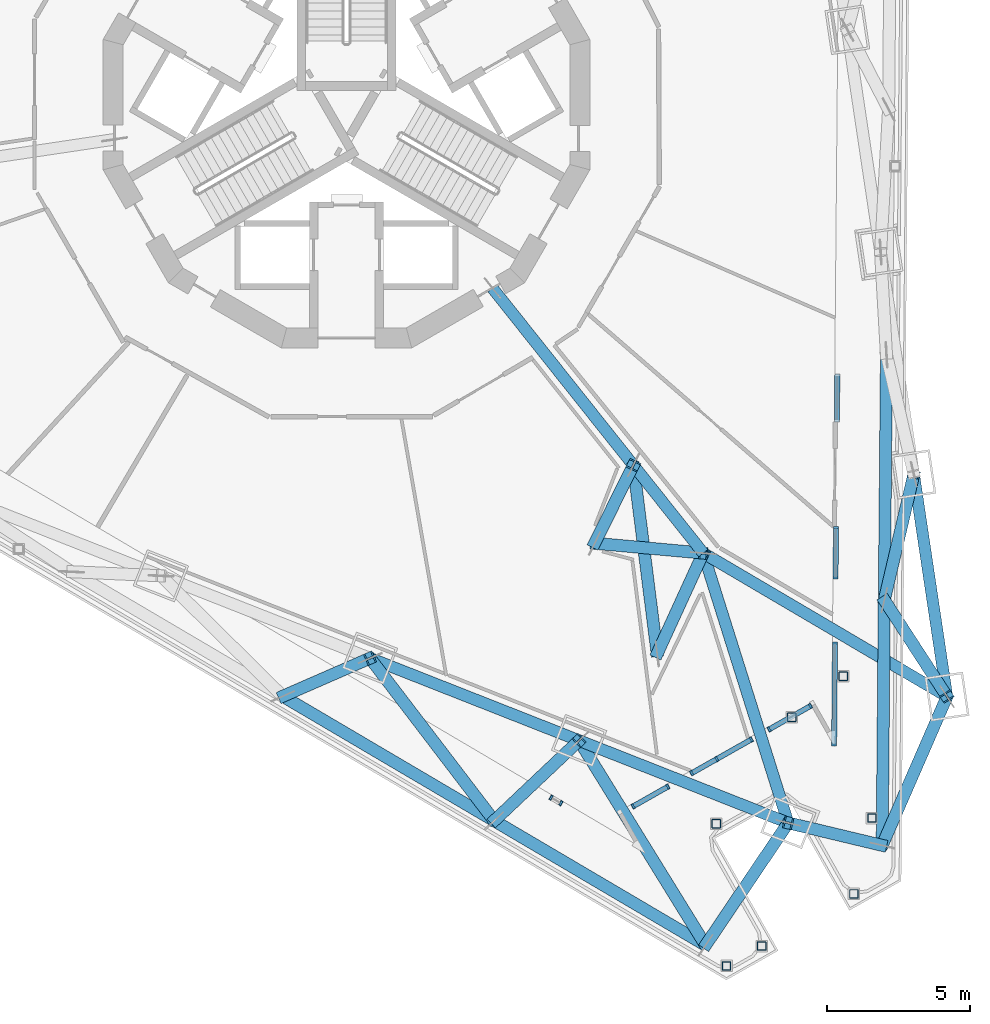
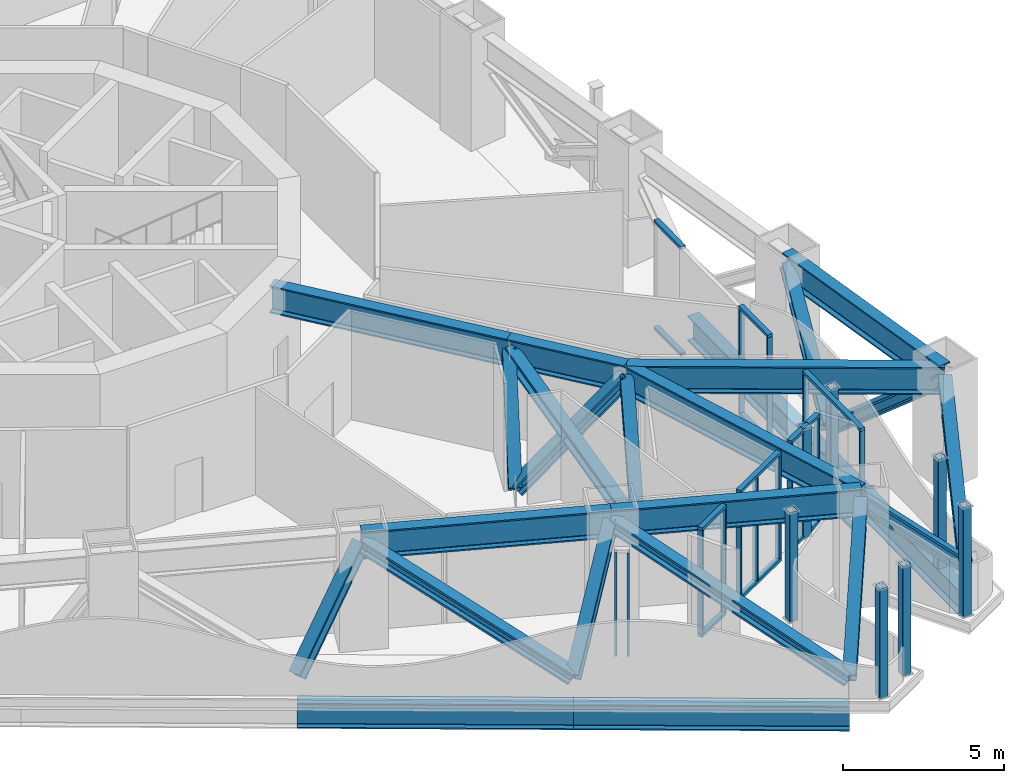
# One storey, part 3 of 27: 52 members, 4 beams, 7 elements without a shape of their own.
"""IFC4 building model written with IfcOpenShell, lengths in metres."""

from ifc_helpers import new_model, si_unit, direction, frame, origin, origin_2d, place, context, subcontext, project, spatial, rectangle, hollow_rectangle, i_section, extrude, material, layer, layer_set, material_profile, profile_set, type_object, element, aggregate, save


model = new_model("IFC4")

# Units and contexts
model_context = context("Model", 3, precision=1e-05, world=origin(), true_north=direction((0.0, 1.0)))
body_context = subcontext(model_context, "Body", "Model", "MODEL_VIEW")
ifc_project = project(units=[si_unit("LENGTHUNIT", "METRE"), si_unit("AREAUNIT", "SQUARE_METRE"), si_unit("VOLUMEUNIT", "CUBIC_METRE"), si_unit("PLANEANGLEUNIT", "RADIAN"), si_unit("MASSUNIT", "GRAM", prefix="KILO")], contexts=[model_context])

# Site, building, storey
site_placement = place(None, origin())
site = spatial("IfcSite", under=ifc_project, at=site_placement, CompositionType="ELEMENT")
building_placement = place(site_placement, origin())
building = spatial("IfcBuilding", under=site, at=building_placement, Name="Trine Commons Tower", CompositionType="ELEMENT")
storey_placement = place(building_placement, frame((0.0, 0.0, 193.5)))
storey = spatial("IfcBuildingStorey", under=building, at=storey_placement, Name="L50", CompositionType="ELEMENT", Elevation=193.5)

# Curtain wall, members
ifc_material_1 = material(Name="Sky lounge glazing: anodised aluminium frame with low-emissivity double glazed unit, solar control", Category="aluminium")
ifc_layer = layer(ifc_material_1, 0.179931640625)
ifc_layer_set = layer_set([ifc_layer], Name="Sky lounge glazing: anodised aluminium frame with low-emissivity double glazed unit, solar control")
curtain_wall_type = type_object("IfcCurtainWallType", Name="Sky lounge glazing curtain wall CW5", PredefinedType="NOTDEFINED", material=ifc_layer_set)
curtain_wall_1_placement = place(storey_placement, origin())
curtain_wall_1 = element("IfcCurtainWall", 1, at=curtain_wall_1_placement, inside=storey, type_object=curtain_wall_type, Name="Sky lounge glazing L50 F2.3", PredefinedType="NOTDEFINED")
ifc_material_2 = material(Name="Anodised aluminium, bronze finish", Category="aluminium")
ifc_material_profile_1 = material_profile(ifc_material_2, rectangle(XDim=0.179931640625, YDim=0.074951171875, at=origin_2d()), Name="Mullion 75x180")
ifc_profile_set_1 = profile_set([ifc_material_profile_1], Name="Anodised aluminium, bronze finish")
member_type_1 = type_object("IfcMemberType", Name="Mullion 75x180, Anodised aluminium, bronze finish", PredefinedType="MULLION", material=ifc_profile_set_1)
member_1_placement = place(storey_placement, frame((97.09912109375, 47.723876953125, 0.110107421875), z_axis=(0.0, 0.0, 1.0), x_axis=(0.999961923064, -0.008726535498, 0.0)))
member_1 = element("IfcMember", 2, at=member_1_placement, type_object=member_type_1, Name="CW5 mullion 1.1", PredefinedType="MULLION", context=body_context, shape_type="SweptSolid", body=[
    extrude(rectangle(XDim=0.179931640625, YDim=0.074951171875, at=origin_2d()), origin(), (0.0, 0.0, 1.0), 3.929931640625),
])
member_2_placement = place(storey_placement, frame((97.083740234375, 45.960205078125, 0.110107421875), z_axis=(0.0, 0.0, 1.0), x_axis=(0.999961923064, -0.008726535498, 0.0)))
member_2 = element("IfcMember", 3, at=member_2_placement, type_object=member_type_1, Name="CW5 mullion 2.1", PredefinedType="MULLION", context=body_context, shape_type="SweptSolid", body=[
    extrude(rectangle(XDim=0.179931640625, YDim=0.074951171875, at=origin_2d()), origin(), (0.0, 0.0, 1.0), 3.929931640625),
])

curtain_wall_2_placement = place(storey_placement, origin())
curtain_wall_2 = element("IfcCurtainWall", 4, at=curtain_wall_2_placement, inside=storey, type_object=curtain_wall_type, Name="Sky lounge glazing L50 F2.4", PredefinedType="NOTDEFINED")
member_3_placement = place(storey_placement, frame((97.064208984375, 43.6923828125, 0.110107421875), z_axis=(0.0, 0.0, 1.0), x_axis=(0.999961923064, -0.008726535498, 0.0)))
member_3 = element("IfcMember", 5, at=member_3_placement, type_object=member_type_1, Name="CW5 mullion 1.1", PredefinedType="MULLION", context=body_context, shape_type="SweptSolid", body=[
    extrude(rectangle(XDim=0.179931640625, YDim=0.074951171875, at=origin_2d()), origin(), (0.0, 0.0, 1.0), 3.929931640625),
])
member_4_placement = place(storey_placement, frame((97.032958984375, 40.131591796875, 0.110107421875), z_axis=(0.0, 0.0, 1.0), x_axis=(0.999961923064, -0.008726535498, 0.0)))
member_4 = element("IfcMember", 6, at=member_4_placement, type_object=member_type_1, Name="CW5 mullion 2.1", PredefinedType="MULLION", context=body_context, shape_type="SweptSolid", body=[
    extrude(rectangle(XDim=0.179931640625, YDim=0.074951171875, at=origin_2d()), origin(), (0.0, 0.0, 1.0), 3.929931640625),
])

curtain_wall_3_placement = place(storey_placement, origin())
curtain_wall_3 = element("IfcCurtainWall", 7, at=curtain_wall_3_placement, inside=storey, type_object=curtain_wall_type, Name="Sky lounge glazing L50 P3.1", PredefinedType="NOTDEFINED")
member_5_placement = place(storey_placement, frame((96.208251953125, 41.492919921875, 0.110107421875), z_axis=(0.0, 0.0, 1.0), x_axis=(0.492423560103, -0.87035569594, 0.0)))
member_5 = element("IfcMember", 8, at=member_5_placement, type_object=member_type_1, Name="CW5 mullion 1.1", PredefinedType="MULLION", context=body_context, shape_type="SweptSolid", body=[
    extrude(rectangle(XDim=0.179931640625, YDim=0.074951171875, at=origin_2d()), origin(), (0.0, 0.0, 1.0), 3.929931640625),
])
member_6_placement = place(storey_placement, frame((94.7646484375, 40.676025390625, 0.110107421875), z_axis=(0.0, 0.0, 1.0), x_axis=(0.492423560103, -0.87035569594, 0.0)))
member_6 = element("IfcMember", 9, at=member_6_placement, type_object=member_type_1, Name="CW5 mullion 2.1", PredefinedType="MULLION", context=body_context, shape_type="SweptSolid", body=[
    extrude(rectangle(XDim=0.179931640625, YDim=0.074951171875, at=origin_2d()), origin(), (0.0, 0.0, 1.0), 3.929931640625),
])

curtain_wall_4_placement = place(storey_placement, origin())
curtain_wall_4 = element("IfcCurtainWall", 10, at=curtain_wall_4_placement, inside=storey, type_object=curtain_wall_type, Name="Sky lounge glazing L50 P3.2", PredefinedType="NOTDEFINED")
member_7_placement = place(storey_placement, frame((94.142822265625, 40.32421875, 0.110107421875), z_axis=(0.0, 0.0, 1.0), x_axis=(0.492423560103, -0.87035569594, 0.0)))
member_7 = element("IfcMember", 11, at=member_7_placement, type_object=member_type_1, Name="CW5 mullion 1.1", PredefinedType="MULLION", context=body_context, shape_type="SweptSolid", body=[
    extrude(rectangle(XDim=0.179931640625, YDim=0.074951171875, at=origin_2d()), origin(), (0.0, 0.0, 1.0), 3.929931640625),
])
member_8_placement = place(storey_placement, frame((92.93359375, 39.64013671875, 0.110107421875), z_axis=(0.0, 0.0, 1.0), x_axis=(0.492423560103, -0.87035569594, 0.0)))
member_8 = element("IfcMember", 12, at=member_8_placement, type_object=member_type_1, Name="CW5 mullion 2.1", PredefinedType="MULLION", context=body_context, shape_type="SweptSolid", body=[
    extrude(rectangle(XDim=0.179931640625, YDim=0.074951171875, at=origin_2d()), origin(), (0.0, 0.0, 1.0), 3.929931640625),
])
member_9_placement = place(storey_placement, frame((92.056396484375, 39.143798828125, 0.110107421875), z_axis=(0.0, 0.0, 1.0), x_axis=(0.492423560103, -0.87035569594, 0.0)))
member_9 = element("IfcMember", 13, at=member_9_placement, type_object=member_type_1, Name="CW5 mullion 3.1", PredefinedType="MULLION", context=body_context, shape_type="SweptSolid", body=[
    extrude(rectangle(XDim=0.179931640625, YDim=0.074951171875, at=origin_2d()), origin(), (0.0, 0.0, 1.0), 3.929931640625),
])

curtain_wall_5_placement = place(storey_placement, origin())
curtain_wall_5 = element("IfcCurtainWall", 14, at=curtain_wall_5_placement, inside=storey, type_object=curtain_wall_type, Name="Sky lounge glazing L50 P3.3", PredefinedType="NOTDEFINED")
member_10_placement = place(storey_placement, frame((91.223388671875, 38.672607421875, 0.110107421875), z_axis=(0.0, 0.0, 1.0), x_axis=(0.492423560103, -0.87035569594, 0.0)))
member_10 = element("IfcMember", 15, at=member_10_placement, type_object=member_type_1, Name="CW5 mullion 1.1", PredefinedType="MULLION", context=body_context, shape_type="SweptSolid", body=[
    extrude(rectangle(XDim=0.179931640625, YDim=0.074951171875, at=origin_2d()), origin(), (0.0, 0.0, 1.0), 3.929931640625),
])
member_11_placement = place(storey_placement, frame((90.014404296875, 37.988525390625, 0.110107421875), z_axis=(0.0, 0.0, 1.0), x_axis=(0.492423560103, -0.87035569594, 0.0)))
member_11 = element("IfcMember", 16, at=member_11_placement, type_object=member_type_1, Name="CW5 mullion 2.1", PredefinedType="MULLION", context=body_context, shape_type="SweptSolid", body=[
    extrude(rectangle(XDim=0.179931640625, YDim=0.074951171875, at=origin_2d()), origin(), (0.0, 0.0, 1.0), 3.929931640625),
])

curtain_wall_6_placement = place(storey_placement, origin())
curtain_wall_6 = element("IfcCurtainWall", 17, at=curtain_wall_6_placement, inside=storey, type_object=curtain_wall_type, Name="Sky lounge glazing L50 F3.1", PredefinedType="NOTDEFINED")
member_12_placement = place(storey_placement, frame((87.48828125, 38.094970703125, 0.110107421875), z_axis=(0.0, 0.0, 1.0), x_axis=(-0.507538362961, -0.861629160442, 0.0)))
member_12 = element("IfcMember", 18, at=member_12_placement, type_object=member_type_1, Name="CW5 mullion 1.1", PredefinedType="MULLION", context=body_context, shape_type="SweptSolid", body=[
    extrude(rectangle(XDim=0.179931640625, YDim=0.074951171875, at=origin_2d()), origin(), (0.0, 0.0, 1.0), 3.929931640625),
])
member_13_placement = place(storey_placement, frame((87.1484375, 38.295166015625, 0.110107421875), z_axis=(0.0, 0.0, 1.0), x_axis=(-0.507538362961, -0.861629160442, 0.0)))
member_13 = element("IfcMember", 19, at=member_13_placement, type_object=member_type_1, Name="CW5 mullion 2.1", PredefinedType="MULLION", context=body_context, shape_type="SweptSolid", body=[
    extrude(rectangle(XDim=0.179931640625, YDim=0.074951171875, at=origin_2d()), origin(), (0.0, 0.0, 1.0), 3.929931640625),
])
aggregate(curtain_wall_6, [member_12, member_13])

# Beams
ifc_material_3 = material(Name="Structural steel ASTM A992 Gr50", Category="steel")
ifc_material_profile_2 = material_profile(ifc_material_3, i_section(OverallWidth=0.406494140625, OverallDepth=1.02880859375, WebThickness=0.0283203125, FlangeThickness=0.051025390625, FilletRadius=0.02978515625, at=origin_2d()), Name="W40X362")
ifc_profile_set_2 = profile_set([ifc_material_profile_2], Name="Structural steel ASTM A992 Gr50")
beam_type = type_object("IfcBeamType", Name="Steel beam W40X362, ASTM A992 Gr50", PredefinedType="BEAM", material=ifc_profile_set_2)
beam_1_placement = place(storey_placement, frame((100.977294921875, 41.82177734375, 3.635498046875), z_axis=(-0.861822403843, 0.507210157858, 0.0), x_axis=(-0.507210157858, -0.861822403843, 0.0)))
element("IfcBeam", 20, at=beam_1_placement, inside=storey, type_object=beam_type, Name="Transfer truss girder T5-UV-05", PredefinedType="BEAM", context=body_context, shape_type="SweptSolid", body=[
    extrude(i_section(OverallWidth=0.406494140625, OverallDepth=1.02880859375, WebThickness=0.0283203125, FlangeThickness=0.051025390625, FilletRadius=0.02978515625, at=origin_2d()), origin(), (0.0, 0.0, 1.0), 9.880859375),
])
beam_2_placement = place(storey_placement, frame((95.429443359375, 37.40869140625, 3.635498046875), z_axis=(-0.300350816954, 0.953828803693, 0.0), x_axis=(-0.953828803693, -0.300350816954, 0.0)))
element("IfcBeam", 21, at=beam_2_placement, inside=storey, type_object=beam_type, Name="Transfer truss girder T5-UV-06", PredefinedType="BEAM", context=body_context, shape_type="SweptSolid", body=[
    extrude(i_section(OverallWidth=0.406494140625, OverallDepth=1.02880859375, WebThickness=0.0283203125, FlangeThickness=0.051025390625, FilletRadius=0.02978515625, at=origin_2d()), origin(), (0.0, 0.0, 1.0), 9.881103515625),
])
beam_3_placement = place(storey_placement, frame((85.101318359375, 56.0869140625, 3.635498046875), z_axis=(0.622514101281, -0.782608582694, 0.0), x_axis=(0.782608582694, 0.622514101281, 0.0)))
element("IfcBeam", 22, at=beam_3_placement, inside=storey, type_object=beam_type, Name="Transfer truss girder T5-UR-01", PredefinedType="BEAM", context=body_context, shape_type="SweptSolid", body=[
    extrude(i_section(OverallWidth=0.406494140625, OverallDepth=1.02880859375, WebThickness=0.0283203125, FlangeThickness=0.051025390625, FilletRadius=0.02978515625, at=origin_2d()), origin(), (0.0, 0.0, 1.0), 7.8994140625),
])
beam_4_placement = place(storey_placement, frame((90.018798828125, 49.90478515625, 3.635498046875), z_axis=(0.622492390488, -0.782625851723, 0.0), x_axis=(0.782625851723, 0.622492390488, 0.0)))
element("IfcBeam", 23, at=beam_4_placement, inside=storey, type_object=beam_type, Name="Transfer truss girder T5-UR-02", PredefinedType="BEAM", context=body_context, shape_type="SweptSolid", body=[
    extrude(i_section(OverallWidth=0.406494140625, OverallDepth=1.02880859375, WebThickness=0.0283203125, FlangeThickness=0.051025390625, FilletRadius=0.02978515625, at=origin_2d()), origin(), (0.0, 0.0, 1.0), 3.92431640625),
])

# Members
ifc_material_profile_3 = material_profile(ifc_material_3, i_section(OverallWidth=0.42236328125, OverallDepth=0.46337890625, WebThickness=0.044921875, FlangeThickness=0.072509765625, FilletRadius=0.014892578125, at=origin_2d()), Name="W14X398")
ifc_profile_set_3 = profile_set([ifc_material_profile_3], Name="Structural steel ASTM A992 Gr50")
member_type_2 = type_object("IfcMemberType", Name="Steel brace W14X398, ASTM A992 Gr50", PredefinedType="BRACE", material=ifc_profile_set_3)
member_14_placement = place(storey_placement, frame((98.71240234375, 36.623779296875, 0.474609375), z_axis=(-0.709920261631, 0.169732553071, 0.683523286037), x_axis=(-0.232533056202, -0.972588493544, 0.0)))
element("IfcMember", 24, at=member_14_placement, inside=storey, type_object=member_type_2, Name="Transfer truss brace T5-DG-01", PredefinedType="BRACE", context=body_context, shape_type="SweptSolid", body=[
    extrude(i_section(OverallWidth=0.42236328125, OverallDepth=0.46337890625, WebThickness=0.044921875, FlangeThickness=0.072509765625, FilletRadius=0.014892578125, at=origin_2d()), origin(), (0.0, 0.0, 1.0), 4.62451171875),
])
member_15_placement = place(storey_placement, frame((92.54248046875, 33.133056640625, 0.474609375), z_axis=(0.477155761775, 0.706674744691, 0.522430075916), x_axis=(-0.828766921884, 0.559593950281, 0.0)))
element("IfcMember", 25, at=member_15_placement, inside=storey, type_object=member_type_2, Name="Transfer truss brace T5-DG-02", PredefinedType="BRACE", context=body_context, shape_type="SweptSolid", body=[
    extrude(i_section(OverallWidth=0.42236328125, OverallDepth=0.46337890625, WebThickness=0.044921875, FlangeThickness=0.072509765625, FilletRadius=0.014892578125, at=origin_2d()), origin(), (0.0, 0.0, 1.0), 6.05029296875),
])
member_16_placement = place(storey_placement, frame((85.15771484375, 37.483154296875, 0.474609375), z_axis=(0.574777733333, 0.542903437442, 0.612279686808), x_axis=(-0.68666217189, 0.726976658288, 0.0)))
element("IfcMember", 26, at=member_16_placement, inside=storey, type_object=member_type_2, Name="Transfer truss brace T5-DG-03", PredefinedType="BRACE", context=body_context, shape_type="SweptSolid", body=[
    extrude(i_section(OverallWidth=0.42236328125, OverallDepth=0.46337890625, WebThickness=0.044921875, FlangeThickness=0.072509765625, FilletRadius=0.014892578125, at=origin_2d()), origin(), (0.0, 0.0, 1.0), 5.16259765625),
])
member_17_placement = place(storey_placement, frame((92.54248046875, 33.133056640625, 0.474609375), z_axis=(-0.49183907872, 0.796391142276, 0.351931057378), x_axis=(-0.850821672403, -0.525454547767, 0.0)))
element("IfcMember", 27, at=member_17_placement, inside=storey, type_object=member_type_2, Name="Transfer truss brace T5-DG-04", PredefinedType="BRACE", context=body_context, shape_type="SweptSolid", body=[
    extrude(i_section(OverallWidth=0.42236328125, OverallDepth=0.46337890625, WebThickness=0.044921875, FlangeThickness=0.072509765625, FilletRadius=0.014892578125, at=origin_2d()), origin(), (0.0, 0.0, 1.0), 8.9814453125),
])
member_18_placement = place(storey_placement, frame((77.773193359375, 41.8330078125, 0.474609375), z_axis=(0.66427998951, 0.289914073768, 0.68897164337), x_axis=(-0.399998282532, 0.916515888554, 0.0)))
element("IfcMember", 28, at=member_18_placement, inside=storey, type_object=member_type_2, Name="Transfer truss brace T5-DG-05", PredefinedType="BRACE", context=body_context, shape_type="SweptSolid", body=[
    extrude(i_section(OverallWidth=0.42236328125, OverallDepth=0.46337890625, WebThickness=0.044921875, FlangeThickness=0.072509765625, FilletRadius=0.014892578125, at=origin_2d()), origin(), (0.0, 0.0, 1.0), 4.587890625),
])
member_19_placement = place(storey_placement, frame((85.15771484375, 37.483154296875, 0.474609375), z_axis=(-0.555004492015, 0.726873424157, 0.404505919732), x_axis=(-0.794800770111, -0.606870444025, 0.0)))
element("IfcMember", 29, at=member_19_placement, inside=storey, type_object=member_type_2, Name="Transfer truss brace T5-DG-06", PredefinedType="BRACE", context=body_context, shape_type="SweptSolid", body=[
    extrude(i_section(OverallWidth=0.42236328125, OverallDepth=0.46337890625, WebThickness=0.044921875, FlangeThickness=0.072509765625, FilletRadius=0.014892578125, at=origin_2d()), origin(), (0.0, 0.0, 1.0), 7.814208984375),
])
member_20_placement = place(storey_placement, frame((98.787109375, 45.194091796875, 0.474609375), z_axis=(0.186949199715, 0.797348530789, 0.573833875938), x_axis=(-0.973597144497, 0.228273082573, 0.0)))
element("IfcMember", 30, at=member_20_placement, inside=storey, type_object=member_type_2, Name="Transfer truss brace T5-DG-40", PredefinedType="BRACE", context=body_context, shape_type="SweptSolid", body=[
    extrude(i_section(OverallWidth=0.42236328125, OverallDepth=0.46337890625, WebThickness=0.044921875, FlangeThickness=0.072509765625, FilletRadius=0.014892578125, at=origin_2d()), origin(), (0.0, 0.0, 1.0), 5.50830078125),
])
member_21_placement = place(storey_placement, frame((98.787109375, 45.194091796875, 0.474609375), z_axis=(0.428209965816, -0.659331652861, 0.617995142952), x_axis=(0.838650241604, 0.544670333557, 0.0)))
element("IfcMember", 31, at=member_21_placement, inside=storey, type_object=member_type_2, Name="Transfer truss brace T5-DG-41", PredefinedType="BRACE", context=body_context, shape_type="SweptSolid", body=[
    extrude(i_section(OverallWidth=0.42236328125, OverallDepth=0.46337890625, WebThickness=0.044921875, FlangeThickness=0.072509765625, FilletRadius=0.014892578125, at=origin_2d()), origin(), (0.0, 0.0, 1.0), 5.11474609375),
])
member_22_placement = place(storey_placement, frame((98.71240234375, 36.623779296875, 0.474609375), z_axis=(0.348898920132, 0.800733740275, 0.486924039986), x_axis=(-0.916754190724, 0.399451816606, 0.0)))
element("IfcMember", 32, at=member_22_placement, inside=storey, type_object=member_type_2, Name="Transfer truss brace T5-DG-42", PredefinedType="BRACE", context=body_context, shape_type="SweptSolid", body=[
    extrude(i_section(OverallWidth=0.42236328125, OverallDepth=0.46337890625, WebThickness=0.044921875, FlangeThickness=0.072509765625, FilletRadius=0.014892578125, at=origin_2d()), origin(), (0.0, 0.0, 1.0), 6.491455078125),
])
member_23_placement = place(storey_placement, frame((88.66943359375, 47.177001953125, 0.474609375), z_axis=(0.307526475763, 0.621674201864, 0.720380908577), x_axis=(-0.896328340038, 0.443390918767, 0.0)))
element("IfcMember", 33, at=member_23_placement, inside=storey, type_object=member_type_2, Name="Transfer truss brace T5-DG-43", PredefinedType="BRACE", context=body_context, shape_type="SweptSolid", body=[
    extrude(i_section(OverallWidth=0.42236328125, OverallDepth=0.46337890625, WebThickness=0.044921875, FlangeThickness=0.072509765625, FilletRadius=0.014892578125, at=origin_2d()), origin(), (0.0, 0.0, 1.0), 4.3876953125),
])
member_24_placement = place(storey_placement, frame((90.85205078125, 43.319091796875, 0.474609375), z_axis=(-0.113331553036, 0.895727700892, 0.429916090582), x_axis=(-0.992090605155, -0.125523827077, 0.0)))
element("IfcMember", 34, at=member_24_placement, inside=storey, type_object=member_type_2, Name="Transfer truss brace T5-DG-44", PredefinedType="BRACE", context=body_context, shape_type="SweptSolid", body=[
    extrude(i_section(OverallWidth=0.42236328125, OverallDepth=0.46337890625, WebThickness=0.044921875, FlangeThickness=0.072509765625, FilletRadius=0.014892578125, at=origin_2d()), origin(), (0.0, 0.0, 1.0), 7.352294921875),
])
member_25_placement = place(storey_placement, frame((88.66943359375, 47.177001953125, 0.474609375), z_axis=(0.766299618107, -0.069412448508, 0.63872279377), x_axis=(0.090212005167, 0.995922584403, 0.0)))
element("IfcMember", 35, at=member_25_placement, inside=storey, type_object=member_type_2, Name="Transfer truss brace T5-DG-45", PredefinedType="BRACE", context=body_context, shape_type="SweptSolid", body=[
    extrude(i_section(OverallWidth=0.42236328125, OverallDepth=0.46337890625, WebThickness=0.044921875, FlangeThickness=0.072509765625, FilletRadius=0.014892578125, at=origin_2d()), origin(), (0.0, 0.0, 1.0), 4.94873046875),
])
member_26_placement = place(storey_placement, frame((90.85205078125, 43.319091796875, 0.474609375), z_axis=(0.322355244156, 0.703822802916, 0.633024927361), x_axis=(-0.909177425186, 0.416408945068, 0.0)))
element("IfcMember", 36, at=member_26_placement, inside=storey, type_object=member_type_2, Name="Transfer truss brace T5-DG-46", PredefinedType="BRACE", context=body_context, shape_type="SweptSolid", body=[
    extrude(i_section(OverallWidth=0.42236328125, OverallDepth=0.46337890625, WebThickness=0.044921875, FlangeThickness=0.072509765625, FilletRadius=0.014892578125, at=origin_2d()), origin(), (0.0, 0.0, 1.0), 4.993408203125),
])
ifc_material_profile_4 = material_profile(ifc_material_3, i_section(OverallWidth=0.42236328125, OverallDepth=0.94921875, WebThickness=0.02392578125, FlangeThickness=0.042724609375, FilletRadius=0.024169921875, at=origin_2d()), Name="W36X302")
ifc_profile_set_4 = profile_set([ifc_material_profile_4], Name="Structural steel ASTM A992 Gr50")
member_type_3 = type_object("IfcMemberType", Name="Steel chord W36X302, ASTM A992 Gr50", PredefinedType="CHORD", material=ifc_profile_set_4)
member_27_placement = place(storey_placement, frame((92.54248046875, 33.133056640625, -0.924560546875), z_axis=(-0.861622105485, 0.50755033971, 0.0), x_axis=(-0.50755033971, -0.861622105485, 0.0)))
element("IfcMember", 37, at=member_27_placement, inside=storey, type_object=member_type_3, Name="Transfer truss chord T5-LC-01", PredefinedType="CHORD", context=body_context, shape_type="SweptSolid", body=[
    extrude(i_section(OverallWidth=0.42236328125, OverallDepth=0.94921875, WebThickness=0.02392578125, FlangeThickness=0.042724609375, FilletRadius=0.024169921875, at=origin_2d()), origin(), (0.0, 0.0, 1.0), 8.57080078125),
])
for number, where, z_axis, x_axis, name in (
    (38, (85.15771484375, 37.483154296875, -0.924560546875), (-0.861627224705, 0.507541649174, 0.0), (-0.507541649174, -0.861627224705, 0.0), "Transfer truss chord T5-LC-02"),
    (39, (98.862060546875, 53.764404296875, -0.924560546875), (-0.008745107696, -0.999961760815, 0.0), (0.999961760815, -0.008745107696, 0.0), "Transfer truss chord T5-LC-17"),
    (40, (98.787109375, 45.194091796875, -0.924560546875), (-0.008716624171, -0.99996200951, 0.0), (0.99996200951, -0.008716624171, 0.0), "Transfer truss chord T5-LC-18"),
):
    element("IfcMember", number, at=place(storey_placement, frame(where, z_axis=z_axis, x_axis=x_axis)), inside=storey, type_object=member_type_3, Name=name, PredefinedType="CHORD", context=body_context, shape_type="SweptSolid", body=[
        extrude(i_section(OverallWidth=0.42236328125, OverallDepth=0.94921875, WebThickness=0.02392578125, FlangeThickness=0.042724609375, FilletRadius=0.024169921875, at=origin_2d()), origin(), (0.0, 0.0, 1.0), 8.570556640625),
    ])
ifc_material_profile_5 = material_profile(ifc_material_3, i_section(OverallWidth=0.406494140625, OverallDepth=1.02880859375, WebThickness=0.0283203125, FlangeThickness=0.051025390625, FilletRadius=0.02978515625, at=origin_2d()), Name="W40X362")
ifc_profile_set_5 = profile_set([ifc_material_profile_5], Name="Structural steel ASTM A992 Gr50")
member_type_4 = type_object("IfcMemberType", Name="Steel chord W40X362, ASTM A992 Gr50", PredefinedType="CHORD", material=ifc_profile_set_5)
member_28_placement = place(storey_placement, frame((95.429443359375, 37.40869140625, 3.635498046875), z_axis=(-0.930421889422, 0.366490255919, 0.0), x_axis=(-0.366490255919, -0.930421889422, 0.0)))
element("IfcMember", 41, at=member_28_placement, inside=storey, type_object=member_type_4, Name="Transfer truss chord T5-UC-01", PredefinedType="CHORD", context=body_context, shape_type="SweptSolid", body=[
    extrude(i_section(OverallWidth=0.406494140625, OverallDepth=1.02880859375, WebThickness=0.0283203125, FlangeThickness=0.051025390625, FilletRadius=0.02978515625, at=origin_2d()), origin(), (0.0, 0.0, 1.0), 7.8505859375),
])
member_29_placement = place(storey_placement, frame((88.125, 40.285888671875, 3.635498046875), z_axis=(-0.930417712306, 0.366500860336, 0.0), x_axis=(-0.366500860336, -0.930417712306, 0.0)))
element("IfcMember", 42, at=member_29_placement, inside=storey, type_object=member_type_4, Name="Transfer truss chord T5-UC-02", PredefinedType="CHORD", context=body_context, shape_type="SweptSolid", body=[
    extrude(i_section(OverallWidth=0.406494140625, OverallDepth=1.02880859375, WebThickness=0.0283203125, FlangeThickness=0.051025390625, FilletRadius=0.02978515625, at=origin_2d()), origin(), (0.0, 0.0, 1.0), 7.850341796875),
])
member_30_placement = place(storey_placement, frame((99.81689453125, 49.586181640625, 3.635498046875), z_axis=(0.147809709358, -0.989015818791, 0.0), x_axis=(0.989015818791, 0.147809709358, 0.0)))
element("IfcMember", 43, at=member_30_placement, inside=storey, type_object=member_type_4, Name="Transfer truss chord T5-UC-18", PredefinedType="CHORD", context=body_context, shape_type="SweptSolid", body=[
    extrude(i_section(OverallWidth=0.406494140625, OverallDepth=1.02880859375, WebThickness=0.0283203125, FlangeThickness=0.051025390625, FilletRadius=0.02978515625, at=origin_2d()), origin(), (0.0, 0.0, 1.0), 7.8505859375),
])
ifc_material_4 = material(Name="Structural steel ASTM A500 Gr C", Category="steel")
ifc_material_profile_6 = material_profile(ifc_material_4, hollow_rectangle(XDim=0.3046875, YDim=0.3046875, WallThickness=0.014892578125, InnerFilletRadius=0.00732421875, OuterFilletRadius=0.022216796875, at=origin_2d()), Name="HSS12X12X5/8")
ifc_profile_set_6 = profile_set([ifc_material_profile_6], Name="Structural steel ASTM A500 Gr C")
member_type_5 = type_object("IfcMemberType", Name="Steel post HSS12X12X5/8, ASTM A500 Gr C", PredefinedType="POST", material=ifc_profile_set_6)
for number, where, z_axis, x_axis, name in (
    (44, (94.50439453125, 33.106689453125, 0.0), (0.0, 0.0, 1.0), (1.0, 0.0, 0.0), "Roof post SP5-32"),
    (45, (92.91552734375, 37.3779296875, 0.0), (0.0, 0.0, 1.0), (1.0, 0.0, 0.0), "Roof post SP5-33"),
    (46, (93.275390625, 32.411376953125, 0.0), (0.0, 0.0, 1.0), (1.0, 0.0, 0.0), "Roof post SP5-34"),
    (47, (97.724853515625, 34.928466796875, 0.0), (0.0, 0.0, 1.0), (1.0, 0.0, 0.0), "Roof post SP5-51"),
    (48, (97.353515625, 42.53076171875, 0.0), (0.0, 0.0, 1.0), (1.0, 0.0, 0.0), "Roof post SP5-52"),
    (49, (95.5537109375, 41.09912109375, 0.0), (0.0, 0.0, 1.0), (1.0, 0.0, 0.0), "Roof post SP5-53"),
    (50, (98.35498046875, 37.577392578125, 0.0), (0.0, 0.0, 1.0), (1.0, 0.0, 0.0), "Roof post SP5-54"),
):
    element("IfcMember", number, at=place(storey_placement, frame(where, z_axis=z_axis, x_axis=x_axis)), inside=storey, type_object=member_type_5, Name=name, PredefinedType="POST", context=body_context, shape_type="SweptSolid", body=[
        extrude(hollow_rectangle(XDim=0.3046875, YDim=0.3046875, WallThickness=0.014892578125, InnerFilletRadius=0.00732421875, OuterFilletRadius=0.022216796875, at=origin_2d()), origin(), (0.0, 0.0, 1.0), 4.14990234375),
    ])

# Curtain wall, members
curtain_wall_7_placement = place(storey_placement, origin())
curtain_wall_7 = element("IfcCurtainWall", 51, at=curtain_wall_7_placement, inside=storey, type_object=curtain_wall_type, Name="Sky lounge glazing L50 F2.2", PredefinedType="NOTDEFINED")
ifc_material_profile_7 = material_profile(ifc_material_2, rectangle(XDim=0.179931640625, YDim=0.110107421875, at=origin_2d()), Name="Transom 110x180")
ifc_profile_set_7 = profile_set([ifc_material_profile_7], Name="Anodised aluminium, bronze finish")
member_type_6 = type_object("IfcMemberType", Name="Transom 110x180, Anodised aluminium, bronze finish", PredefinedType="USERDEFINED", material=ifc_profile_set_7)
member_31_placement = place(storey_placement, frame((97.14599609375, 53.097412109375, 0.054931640625), z_axis=(-0.008672700706, -0.999962391424, 0.0), x_axis=(0.999962391424, -0.008672700706, 0.0)))
member_31 = element("IfcMember", 52, at=member_31_placement, type_object=member_type_6, Name="CW5 transom T00", ObjectType="TRANSOM", PredefinedType="USERDEFINED", context=body_context, shape_type="SweptSolid", body=[
    extrude(rectangle(XDim=0.179931640625, YDim=0.110107421875, at=origin_2d()), origin(), (0.0, 0.0, 1.0), 1.68896484375),
])
member_32_placement = place(storey_placement, frame((97.14599609375, 53.097412109375, 4.094970703125), z_axis=(-0.008672700706, -0.999962391424, 0.0), x_axis=(0.999962391424, -0.008672700706, 0.0)))
member_32 = element("IfcMember", 53, at=member_32_placement, type_object=member_type_6, Name="CW5 transom TH00", ObjectType="TRANSOM", PredefinedType="USERDEFINED", context=body_context, shape_type="SweptSolid", body=[
    extrude(rectangle(XDim=0.179931640625, YDim=0.110107421875, at=origin_2d()), origin(), (0.0, 0.0, 1.0), 1.68896484375),
])
aggregate(curtain_wall_7, [member_31, member_32])

# Member
member_33_placement = place(storey_placement, frame((97.099609375, 47.76123046875, 0.054931640625), z_axis=(-0.008763439865, -0.999961600324, 0.0), x_axis=(0.999961600324, -0.008763439865, 0.0)))
member_33 = element("IfcMember", 54, at=member_33_placement, type_object=member_type_6, Name="CW5 transom T00", ObjectType="TRANSOM", PredefinedType="USERDEFINED", context=body_context, shape_type="SweptSolid", body=[
    extrude(rectangle(XDim=0.179931640625, YDim=0.110107421875, at=origin_2d()), origin(), (0.0, 0.0, 1.0), 1.838623046875),
])

member_34_placement = place(storey_placement, frame((97.099609375, 47.76123046875, 4.094970703125), z_axis=(-0.008763439865, -0.999961600324, 0.0), x_axis=(0.999961600324, -0.008763439865, 0.0)))
member_34 = element("IfcMember", 55, at=member_34_placement, type_object=member_type_6, Name="CW5 transom TH00", ObjectType="TRANSOM", PredefinedType="USERDEFINED", context=body_context, shape_type="SweptSolid", body=[
    extrude(rectangle(XDim=0.179931640625, YDim=0.110107421875, at=origin_2d()), origin(), (0.0, 0.0, 1.0), 1.838623046875),
])

aggregate(curtain_wall_1, [member_33, member_34, member_1, member_2])

member_35_placement = place(storey_placement, frame((97.064453125, 43.72998046875, 0.054931640625), z_axis=(-0.00872918661, -0.999961899925, 0.0), x_axis=(0.999961899925, -0.00872918661, 0.0)))
member_35 = element("IfcMember", 56, at=member_35_placement, type_object=member_type_6, Name="CW5 transom T00", ObjectType="TRANSOM", PredefinedType="USERDEFINED", context=body_context, shape_type="SweptSolid", body=[
    extrude(rectangle(XDim=0.179931640625, YDim=0.110107421875, at=origin_2d()), origin(), (0.0, 0.0, 1.0), 3.635986328125),
])

member_36_placement = place(storey_placement, frame((97.064453125, 43.72998046875, 4.094970703125), z_axis=(-0.00872918661, -0.999961899925, 0.0), x_axis=(0.999961899925, -0.00872918661, 0.0)))
member_36 = element("IfcMember", 57, at=member_36_placement, type_object=member_type_6, Name="CW5 transom TH00", ObjectType="TRANSOM", PredefinedType="USERDEFINED", context=body_context, shape_type="SweptSolid", body=[
    extrude(rectangle(XDim=0.179931640625, YDim=0.110107421875, at=origin_2d()), origin(), (0.0, 0.0, 1.0), 3.635986328125),
])

aggregate(curtain_wall_2, [member_35, member_36, member_3, member_4])

member_37_placement = place(storey_placement, frame((96.240966796875, 41.51123046875, 0.054931640625), z_axis=(-0.870418549919, -0.492312449525, 0.0), x_axis=(0.492312449525, -0.870418549919, 0.0)))
member_37 = element("IfcMember", 58, at=member_37_placement, type_object=member_type_6, Name="CW5 transom T00", ObjectType="TRANSOM", PredefinedType="USERDEFINED", context=body_context, shape_type="SweptSolid", body=[
    extrude(rectangle(XDim=0.179931640625, YDim=0.110107421875, at=origin_2d()), origin(), (0.0, 0.0, 1.0), 1.733642578125),
])

member_38_placement = place(storey_placement, frame((96.240966796875, 41.51123046875, 4.094970703125), z_axis=(-0.870418549919, -0.492312449525, 0.0), x_axis=(0.492312449525, -0.870418549919, 0.0)))
member_38 = element("IfcMember", 59, at=member_38_placement, type_object=member_type_6, Name="CW5 transom TH00", ObjectType="TRANSOM", PredefinedType="USERDEFINED", context=body_context, shape_type="SweptSolid", body=[
    extrude(rectangle(XDim=0.179931640625, YDim=0.110107421875, at=origin_2d()), origin(), (0.0, 0.0, 1.0), 1.733642578125),
])

aggregate(curtain_wall_3, [member_37, member_38, member_5, member_6])

member_39_placement = place(storey_placement, frame((94.175537109375, 40.3427734375, 0.054931640625), z_axis=(-0.870386220316, -0.492369604549, 0.0), x_axis=(0.492369604549, -0.870386220316, 0.0)))
member_39 = element("IfcMember", 60, at=member_39_placement, type_object=member_type_6, Name="CW5 transom T00", ObjectType="TRANSOM", PredefinedType="USERDEFINED", context=body_context, shape_type="SweptSolid", body=[
    extrude(rectangle(XDim=0.179931640625, YDim=0.110107421875, at=origin_2d()), origin(), (0.0, 0.0, 1.0), 2.472412109375),
])

member_40_placement = place(storey_placement, frame((94.175537109375, 40.3427734375, 4.094970703125), z_axis=(-0.870386220316, -0.492369604549, 0.0), x_axis=(0.492369604549, -0.870386220316, 0.0)))
member_40 = element("IfcMember", 61, at=member_40_placement, type_object=member_type_6, Name="CW5 transom TH00", ObjectType="TRANSOM", PredefinedType="USERDEFINED", context=body_context, shape_type="SweptSolid", body=[
    extrude(rectangle(XDim=0.179931640625, YDim=0.110107421875, at=origin_2d()), origin(), (0.0, 0.0, 1.0), 2.472412109375),
])

aggregate(curtain_wall_4, [member_39, member_40, member_7, member_8, member_9])

member_41_placement = place(storey_placement, frame((91.256103515625, 38.69091796875, 0.054931640625), z_axis=(-0.870379556157, -0.492381384929, 0.0), x_axis=(0.492381384929, -0.870379556157, 0.0)))
member_41 = element("IfcMember", 62, at=member_41_placement, type_object=member_type_6, Name="CW5 transom T00", ObjectType="TRANSOM", PredefinedType="USERDEFINED", context=body_context, shape_type="SweptSolid", body=[
    extrude(rectangle(XDim=0.179931640625, YDim=0.110107421875, at=origin_2d()), origin(), (0.0, 0.0, 1.0), 1.464111328125),
])

member_42_placement = place(storey_placement, frame((91.256103515625, 38.69091796875, 4.094970703125), z_axis=(-0.870379556157, -0.492381384929, 0.0), x_axis=(0.492381384929, -0.870379556157, 0.0)))
member_42 = element("IfcMember", 63, at=member_42_placement, type_object=member_type_6, Name="CW5 transom TH00", ObjectType="TRANSOM", PredefinedType="USERDEFINED", context=body_context, shape_type="SweptSolid", body=[
    extrude(rectangle(XDim=0.179931640625, YDim=0.110107421875, at=origin_2d()), origin(), (0.0, 0.0, 1.0), 1.464111328125),
])

aggregate(curtain_wall_5, [member_41, member_42, member_10, member_11])

save(model, "model.ifc")
